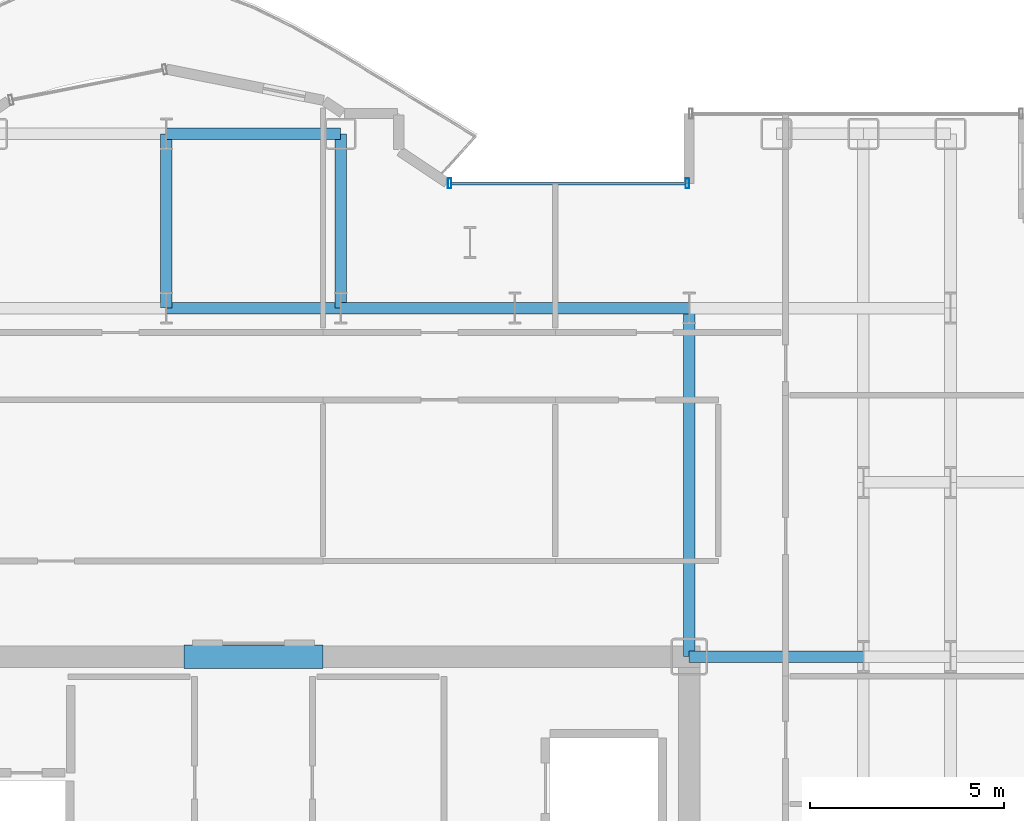
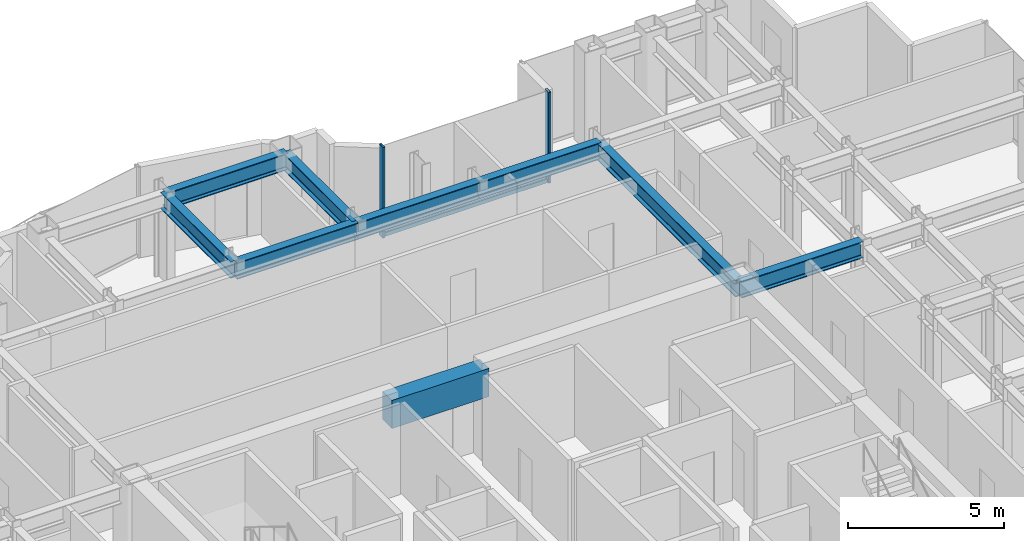
# One storey, part 12 of 22: 9 beams, 3 members, 1 element without a shape of its own.
"""IFC4 building model written with IfcOpenShell, lengths in metres."""

from ifc_helpers import new_model, si_unit, direction, frame, origin, origin_2d, place, context, subcontext, project, spatial, rectangle, hollow_rectangle, i_section, extrude, source, transform, mapped, material, layer, layer_set, material_profile, profile_set, type_object, element, aggregate, save


model = new_model("IFC4")

# Units and contexts
model_context = context("Model", 3, precision=1e-05, world=origin(), true_north=direction((0.0, 1.0)))
body_context = subcontext(model_context, "Body", "Model", "MODEL_VIEW")
ifc_project = project(units=[si_unit("LENGTHUNIT", "METRE"), si_unit("AREAUNIT", "SQUARE_METRE"), si_unit("VOLUMEUNIT", "CUBIC_METRE"), si_unit("PLANEANGLEUNIT", "RADIAN"), si_unit("MASSUNIT", "GRAM", prefix="KILO")], contexts=[model_context])

# Site, building, storey
site_placement = place(None, origin())
site = spatial("IfcSite", under=ifc_project, at=site_placement, CompositionType="ELEMENT")
building_placement = place(site_placement, origin())
building = spatial("IfcBuilding", under=site, at=building_placement, Name="Nefas-Gora Pilgrimage Tower", CompositionType="ELEMENT")
storey_placement = place(building_placement, frame((0.0, 0.0, 179.199951171875)))
storey = spatial("IfcBuildingStorey", under=building, at=storey_placement, Name="L44", CompositionType="ELEMENT", Elevation=179.199951171875)

# Beams
ifc_material_1 = material(Name="Concrete C60/75", Category="concrete")
ifc_material_profile_1 = material_profile(ifc_material_1, rectangle(XDim=0.60009765625, YDim=1.10009765625, at=origin_2d()), Name="RC 600x1100")
ifc_profile_set_1 = profile_set([ifc_material_profile_1], Name="Concrete C60/75")
beam_type_1 = type_object("IfcBeamType", Name="BM-LIN-RC1100", PredefinedType="LINTEL", material=ifc_profile_set_1)
shared_shape_1 = source(origin(), body_context, "Body", "SweptSolid", [
    extrude(rectangle(XDim=0.60009765625, YDim=1.10009765625, at=origin_2d()), origin(), (0.0, 0.0, 1.0), 3.60009765625),
])
beam_1_placement = place(storey_placement, frame((-1.800048828125, 9.0, 3.0), z_axis=(1.0, 0.0, 0.0), x_axis=(0.0, 1.0, 0.0)))
element("IfcBeam", 1, at=beam_1_placement, inside=storey, type_object=beam_type_1, Name="L44 Core Coupling Lintel Beam N", PredefinedType="LINTEL", context=body_context, shape_type="MappedRepresentation", body=[
    mapped(shared_shape_1, transform((0.0, 0.0, 0.0), x_axis=(1.0, 0.0, 0.0), y_axis=(0.0, 1.0, 0.0), z_axis=(0.0, 0.0, 1.0), scale=1.0)),
])
ifc_material_2 = material(Name="Steel S355", Category="steel")
ifc_material_profile_2 = material_profile(ifc_material_2, i_section(OverallWidth=0.300048828125, OverallDepth=0.64990234375, WebThickness=0.01611328125, FlangeThickness=0.031005859375, FilletRadius=0.027099609375, at=origin_2d()), Name="HEB 650")
ifc_profile_set_2 = profile_set([ifc_material_profile_2], Name="Steel S355")
beam_type_2 = type_object("IfcBeamType", Name="BM-GIR-HEB650", PredefinedType="BEAM", material=ifc_profile_set_2)
shared_shape_2 = source(origin(), body_context, "Body", "SweptSolid", [
    extrude(i_section(OverallWidth=0.300048828125, OverallDepth=0.64990234375, WebThickness=0.01611328125, FlangeThickness=0.031005859375, FilletRadius=0.027099609375, at=origin_2d()), origin(), (0.0, 0.0, 1.0), 9.0),
])
beam_2_placement = place(storey_placement, frame((11.25, 9.0, 3.22509765625), z_axis=(0.0, 1.0, 0.0), x_axis=(-1.0, 0.0, 0.0)))
element("IfcBeam", 2, at=beam_2_placement, inside=storey, type_object=beam_type_2, Name="L44 G-03 beam", PredefinedType="BEAM", context=body_context, shape_type="MappedRepresentation", body=[
    mapped(shared_shape_2, transform((0.0, 0.0, 0.0), x_axis=(1.0, 0.0, 0.0), y_axis=(0.0, 1.0, 0.0), z_axis=(0.0, 0.0, 1.0), scale=1.0)),
])
shared_shape_3 = source(origin(), body_context, "Body", "SweptSolid", [
    extrude(i_section(OverallWidth=0.300048828125, OverallDepth=0.64990234375, WebThickness=0.01611328125, FlangeThickness=0.031005859375, FilletRadius=0.027099609375, at=origin_2d()), origin(), (0.0, 0.0, 1.0), 4.5),
])
for number, where, z_axis, x_axis, name in (
    (3, (-2.25, 18.0, 3.22509765625), (0.0, 1.0, 0.0), (-1.0, 0.0, 0.0), "L44 G-03 beam"),
    (4, (-2.25, 18.0, 3.22509765625), (1.0, 0.0, 0.0), (0.0, 1.0, 0.0), "L44 G-03 beam"),
    (5, (-2.25, 22.5, 3.22509765625), (1.0, 0.0, 0.0), (0.0, 1.0, 0.0), "L44 G-03 beam"),
    (6, (2.25, 18.0, 3.22509765625), (0.0, 1.0, 0.0), (-1.0, 0.0, 0.0), "L44 G-03 beam"),
    (7, (2.25, 18.0, 3.22509765625), (1.0, 0.0, 0.0), (0.0, 1.0, 0.0), "L44 G-03 beam"),
    (8, (6.75, 18.0, 3.22509765625), (1.0, 0.0, 0.0), (0.0, 1.0, 0.0), "L44 G-03 beam"),
    (9, (11.25, 9.0, 3.22509765625), (1.0, 0.0, 0.0), (0.0, 1.0, 0.0), "L44 G-03 beam"),
):
    element("IfcBeam", number, at=place(storey_placement, frame(where, z_axis=z_axis, x_axis=x_axis)), inside=storey, type_object=beam_type_2, Name=name, PredefinedType="BEAM", context=body_context, shape_type="MappedRepresentation", body=[
        mapped(shared_shape_3, transform((0.0, 0.0, 0.0), x_axis=(1.0, 0.0, 0.0), y_axis=(0.0, 1.0, 0.0), z_axis=(0.0, 0.0, 1.0), scale=1.0)),
    ])

# Curtain wall, members
ifc_material_3 = material(Name="Dark ceramic-fritted solar-control aluminium-glass curtain wall", Category="aluminium")
ifc_layer = layer(ifc_material_3, 0.219970703125)
ifc_layer_set = layer_set([ifc_layer], Name="Dark ceramic-fritted solar-control aluminium-glass curtain wall")
curtain_wall_type = type_object("IfcCurtainWallType", Name="CW-SYS-5", PredefinedType="NOTDEFINED", material=ifc_layer_set)
curtain_wall_placement = place(storey_placement, origin())
curtain_wall = element("IfcCurtainWall", 10, at=curtain_wall_placement, inside=storey, type_object=curtain_wall_type, Name="L44 Unitised Curtain Wall CW5", PredefinedType="NOTDEFINED")
ifc_material_4 = material(Name="Anodised architectural aluminium", Category="aluminium")
ifc_material_profile_3 = material_profile(ifc_material_4, hollow_rectangle(XDim=0.090087890625, YDim=0.260009765625, WallThickness=0.006103515625, InnerFilletRadius=0.006103515625, OuterFilletRadius=0.011962890625, at=origin_2d()), Name="ALU MULLION 90x260")
ifc_profile_set_3 = profile_set([ifc_material_profile_3], Name="Anodised architectural aluminium")
member_type_1 = type_object("IfcMemberType", Name="CWM-MUL-5", PredefinedType="MULLION", material=ifc_profile_set_3)
shared_shape_4 = source(origin(), body_context, "Body", "SweptSolid", [
    extrude(hollow_rectangle(XDim=0.090087890625, YDim=0.260009765625, WallThickness=0.006103515625, InnerFilletRadius=0.006103515625, OuterFilletRadius=0.011962890625, at=origin_2d()), origin(), (0.0, 0.0, 1.0), 3.550048828125),
])
member_1_placement = place(storey_placement, frame((11.205078125, 21.219970703125, 0.0), z_axis=(0.0, 0.0, 1.0), x_axis=(-1.0, 0.0, 0.0)))
member_1 = element("IfcMember", 11, at=member_1_placement, type_object=member_type_1, Name="CW5 Mullion 1", PredefinedType="MULLION", context=body_context, shape_type="MappedRepresentation", body=[
    mapped(shared_shape_4, transform((0.0, 0.0, 0.0), x_axis=(1.0, 0.0, 0.0), y_axis=(0.0, 1.0, 0.0), z_axis=(0.0, 0.0, 1.0), scale=1.0)),
])
member_2_placement = place(storey_placement, frame((5.06298828125, 21.219970703125, 0.0), z_axis=(0.0, 0.0, 1.0), x_axis=(-1.0, 0.0, 0.0)))
member_2 = element("IfcMember", 12, at=member_2_placement, type_object=member_type_1, Name="CW5 Mullion 2", PredefinedType="MULLION", context=body_context, shape_type="MappedRepresentation", body=[
    mapped(shared_shape_4, transform((0.0, 0.0, 0.0), x_axis=(1.0, 0.0, 0.0), y_axis=(0.0, 1.0, 0.0), z_axis=(0.0, 0.0, 1.0), scale=1.0)),
])
ifc_material_profile_4 = material_profile(ifc_material_4, hollow_rectangle(XDim=0.080078125, YDim=0.159912109375, WallThickness=0.00439453125, InnerFilletRadius=0.00439453125, OuterFilletRadius=0.009033203125, at=origin_2d()), Name="ALU TRANSOM 80x160")
ifc_profile_set_4 = profile_set([ifc_material_profile_4], Name="Anodised architectural aluminium")
member_type_2 = type_object("IfcMemberType", Name="CWM-TRN-5", PredefinedType="USERDEFINED", material=ifc_profile_set_4)
shared_shape_5 = source(origin(), body_context, "Body", "SweptSolid", [
    extrude(hollow_rectangle(XDim=0.080078125, YDim=0.159912109375, WallThickness=0.00439453125, InnerFilletRadius=0.00439453125, OuterFilletRadius=0.009033203125, at=origin_2d()), origin(), (0.0, 0.0, 1.0), 6.052001953125),
])
member_3_placement = place(storey_placement, frame((11.159912109375, 21.219970703125, 0.050048828125), z_axis=(-1.0, 0.0, 0.0), x_axis=(0.0, -1.0, 0.0)))
member_3 = element("IfcMember", 13, at=member_3_placement, type_object=member_type_2, Name="CW5 Spandrel Transom", ObjectType="TRANSOM", PredefinedType="USERDEFINED", context=body_context, shape_type="MappedRepresentation", body=[
    mapped(shared_shape_5, transform((0.0, 0.0, 0.0), x_axis=(1.0, 0.0, 0.0), y_axis=(0.0, 1.0, 0.0), z_axis=(0.0, 0.0, 1.0), scale=1.0)),
])
aggregate(curtain_wall, [member_1, member_2, member_3])

save(model, "model.ifc")
